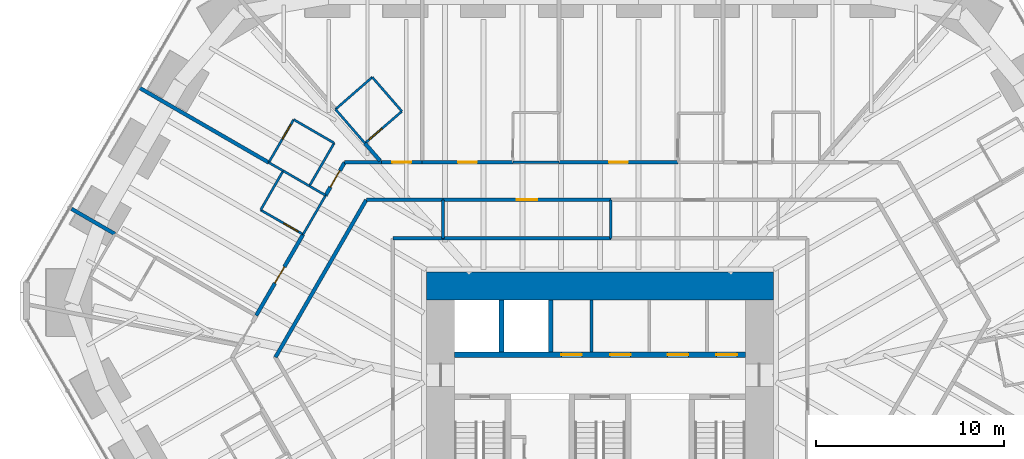
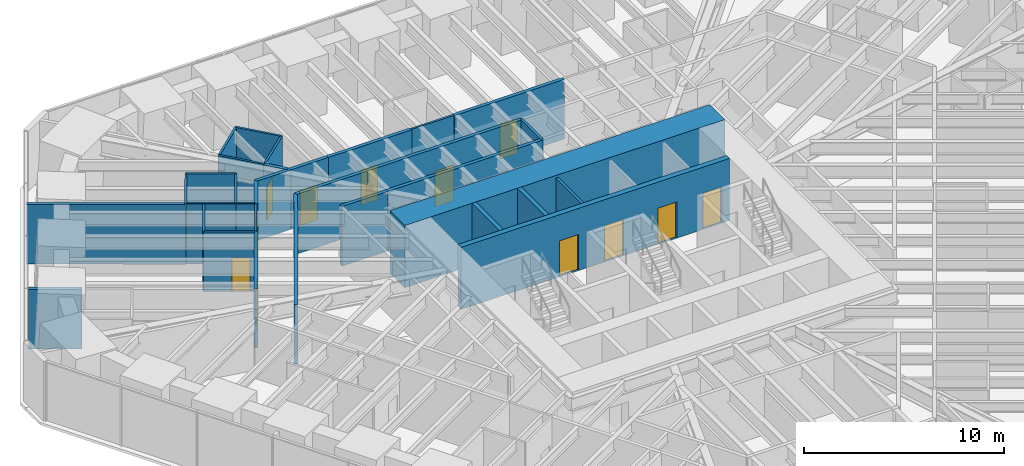
# One storey, part 14 of 17: 35 walls, 13 doors, 13 openings.
"""IFC4 building model written with IfcOpenShell, lengths in metres."""

from ifc_helpers import new_model, si_unit, direction, frame, frame_2d, origin, place, context, subcontext, project, spatial, rectangle, extrude, material, layer, layer_set, type_object, element, fill, save


model = new_model("IFC4")

# Units and contexts
model_context = context("Model", 3, precision=1e-05, world=origin(), true_north=direction((0.0, 1.0)))
body_context = subcontext(model_context, "Body", "Model", "MODEL_VIEW")
ifc_project = project(units=[si_unit("LENGTHUNIT", "METRE"), si_unit("AREAUNIT", "SQUARE_METRE"), si_unit("VOLUMEUNIT", "CUBIC_METRE"), si_unit("PLANEANGLEUNIT", "RADIAN"), si_unit("MASSUNIT", "GRAM", prefix="KILO")], contexts=[model_context])

# Site, building, storey
site_placement = place(None, origin())
site = spatial("IfcSite", under=ifc_project, at=site_placement, CompositionType="ELEMENT")
building_placement = place(site_placement, origin())
building = spatial("IfcBuilding", under=site, at=building_placement, Name="Sandreach Pilgrim Tower", CompositionType="ELEMENT")
storey_placement = place(building_placement, frame((0.0, 0.0, 64.800048828125)))
storey = spatial("IfcBuildingStorey", under=building, at=storey_placement, Name="L15", CompositionType="ELEMENT", Elevation=64.800048828125)

# Walls
ifc_material_1 = material(Name="Gypsum board on steel studs", Category="steel")
ifc_layer_1 = layer(ifc_material_1, 0.14990234375)
ifc_layer_set_1 = layer_set([ifc_layer_1], Name="Back of house wall 150")
wall_type_1 = type_object("IfcWallType", Name="Back of house wall 150", PredefinedType="PARTITIONING", material=ifc_layer_set_1)
wall_1_placement = place(storey_placement, frame((-8.360107421875, 11.449951171875, 0.0), z_axis=(0.0, 0.0, 1.0), x_axis=(0.0, -1.0, 0.0)))
element("IfcWall", 1, at=wall_1_placement, inside=storey, type_object=wall_type_1, Name="Back of house wall L15-057", PredefinedType="PARTITIONING", context=body_context, shape_type="SweptSolid", body=[
    extrude(rectangle(XDim=2.050048828125, YDim=0.14990234375, at=frame_2d((1.02490234375, 0.0))), origin(), (0.0, 0.0, 1.0), 2.8779296875),
])
wall_2_placement = place(storey_placement, frame((0.580078125, 11.449951171875, 0.0), z_axis=(0.0, 0.0, 1.0), x_axis=(0.0, -1.0, 0.0)))
element("IfcWall", 2, at=wall_2_placement, inside=storey, type_object=wall_type_1, Name="Back of house wall L15-090", PredefinedType="PARTITIONING", context=body_context, shape_type="SweptSolid", body=[
    extrude(rectangle(XDim=2.050048828125, YDim=0.14990234375, at=frame_2d((1.02490234375, 0.0))), origin(), (0.0, 0.0, 1.0), 3.639892578125),
])
wall_3_placement = place(storey_placement, frame((-0.449951171875, 3.35009765625, 0.0), z_axis=(0.0, 0.0, 1.0), x_axis=(0.0, 1.0, 0.0)))
element("IfcWall", 3, at=wall_3_placement, inside=storey, type_object=wall_type_1, Name="Core room partition L15 1", PredefinedType="PARTITIONING", context=body_context, shape_type="SweptSolid", body=[
    extrude(rectangle(XDim=2.75, YDim=0.14990234375, at=frame_2d((1.375, 0.0))), origin(), (0.0, 0.0, 1.0), 3.639892578125),
])

# Wall, opening, door
ifc_material_2 = material(Name="Moisture-resistant gypsum board on steel studs", Category="steel")
ifc_layer_2 = layer(ifc_material_2, 0.1201171875)
ifc_layer_set_2 = layer_set([ifc_layer_2], Name="Bathroom partition 120")
wall_type_2 = type_object("IfcWallType", Name="Bathroom partition 120", PredefinedType="PARTITIONING", material=ifc_layer_set_2)
wall_4_placement = place(storey_placement, frame((-18.090087890625, 10.909912109375, 0.0), z_axis=(0.0, 0.0, 1.0), x_axis=(0.866856728041, -0.498557331759, 0.0)))
wall_4 = element("IfcWall", 4, at=wall_4_placement, inside=storey, type_object=wall_type_2, Name="Bathroom partition L15-020", PredefinedType="PARTITIONING", context=body_context, shape_type="SweptSolid", body=[
    extrude(rectangle(XDim=2.607177734375, YDim=0.1201171875, at=frame_2d((1.3037109375, 0.0))), origin(), (0.0, 0.0, 1.0), 3.639892578125),
])
opening_1_placement = place(wall_4_placement, frame((1.4072265625, 0.0, 0.0)))
opening_1 = element("IfcOpeningElement", 5, at=opening_1_placement, cuts=wall_4, Name="Opening D09-19B", PredefinedType="OPENING", context=body_context, shape_type="SweptSolid", body=[
    extrude(rectangle(XDim=0.89990234375, YDim=2.030029296875, at=frame_2d((0.449951171875, 1.01513671875))), frame((0.0, 0.06005859375, 0.0), z_axis=(0.0, -1.0, 0.0), x_axis=(1.0, 0.0, 0.0)), (0.0, 0.0, 1.0), 0.1201171875),
])
ifc_material_3 = material(Name="Timber door, steel frame", Category="steel")
door_type_1 = type_object("IfcDoorType", Name="Bathroom door", OperationType="SINGLE_SWING_LEFT", PredefinedType="DOOR", material=ifc_material_3)
door_1_placement = place(opening_1_placement, origin())
door_1 = element("IfcDoor", 6, at=door_1_placement, inside=storey, type_object=door_type_1, Name="Door 1519B", OperationType="SINGLE_SWING_RIGHT", OverallHeight=2.030029296875, OverallWidth=0.89990234375, PredefinedType="DOOR", context=body_context, shape_type="SweptSolid", body=[
    extrude(rectangle(XDim=0.89990234375, YDim=2.030029296875, at=frame_2d((0.449951171875, 1.01513671875))), frame((0.0, 0.02490234375, 0.0), z_axis=(0.0, -1.0, 0.0), x_axis=(1.0, 0.0, 0.0)), (0.0, 0.0, 1.0), 0.050048828125),
])
fill(opening_1, door_1)

# Walls
wall_5_placement = place(storey_placement, frame((-17.659912109375, 13.43994140625, 0.0), z_axis=(0.0, 0.0, 1.0), x_axis=(0.86820924967, -0.49619824545, 0.0)))
element("IfcWall", 7, at=wall_5_placement, inside=storey, type_object=wall_type_2, Name="Bathroom partition L15-022", PredefinedType="PARTITIONING", context=body_context, shape_type="SweptSolid", body=[
    extrude(rectangle(XDim=0.88671875, YDim=0.1201171875, at=frame_2d((0.443359375, 0.0))), origin(), (0.0, 0.0, 1.0), 3.639892578125),
])
wall_6_placement = place(storey_placement, frame((-16.889892578125, 13.0, 0.0), z_axis=(0.0, 0.0, 1.0), x_axis=(-0.497970509195, -0.867193964446, 0.0)))
element("IfcWall", 8, at=wall_6_placement, inside=storey, type_object=wall_type_2, Name="Bathroom partition L15-024", PredefinedType="PARTITIONING", context=body_context, shape_type="SweptSolid", body=[
    extrude(rectangle(XDim=2.41015625, YDim=0.1201171875, at=frame_2d((1.205078125, 0.0))), origin(), (0.0, 0.0, 1.0), 3.639892578125),
])
wall_7_placement = place(storey_placement, frame((-16.889892578125, 13.0, 0.0), z_axis=(0.0, 0.0, 1.0), x_axis=(0.864822777425, -0.502077248685, 0.0)))
element("IfcWall", 9, at=wall_7_placement, inside=storey, type_object=wall_type_2, Name="Bathroom partition L15-025", PredefinedType="PARTITIONING", context=body_context, shape_type="SweptSolid", body=[
    extrude(rectangle(XDim=1.6171875, YDim=0.1201171875, at=frame_2d((0.80859375, 0.0))), origin(), (0.0, 0.0, 1.0), 3.639892578125),
])

# Wall, opening, door
wall_8_placement = place(storey_placement, frame((-16.330078125, 15.72998046875, 0.0), z_axis=(0.0, 0.0, 1.0), x_axis=(-0.502173326652, -0.864766991738, 0.0)))
wall_8 = element("IfcWall", 10, at=wall_8_placement, inside=storey, type_object=wall_type_2, Name="Bathroom partition L15-029", PredefinedType="PARTITIONING", context=body_context, shape_type="SweptSolid", body=[
    extrude(rectangle(XDim=2.648193359375, YDim=0.1201171875, at=frame_2d((1.32421875, 0.0))), origin(), (0.0, 0.0, 1.0), 3.639892578125),
])
opening_2_placement = place(wall_8_placement, frame((0.300048828125, 0.0, 0.0)))
opening_2 = element("IfcOpeningElement", 11, at=opening_2_placement, cuts=wall_8, Name="Opening D09-20B", PredefinedType="OPENING", context=body_context, shape_type="SweptSolid", body=[
    extrude(rectangle(XDim=0.89990234375, YDim=2.030029296875, at=frame_2d((0.449951171875, 1.01513671875))), frame((0.0, 0.06005859375, 0.0), z_axis=(0.0, -1.0, 0.0), x_axis=(1.0, 0.0, 0.0)), (0.0, 0.0, 1.0), 0.1201171875),
])
door_2_placement = place(opening_2_placement, origin())
door_2 = element("IfcDoor", 12, at=door_2_placement, inside=storey, type_object=door_type_1, Name="Door 1520B", OperationType="SINGLE_SWING_LEFT", OverallHeight=2.030029296875, OverallWidth=0.89990234375, PredefinedType="DOOR", context=body_context, shape_type="SweptSolid", body=[
    extrude(rectangle(XDim=0.89990234375, YDim=2.030029296875, at=frame_2d((0.449951171875, 1.01513671875))), frame((0.0, 0.02490234375, 0.0), z_axis=(0.0, -1.0, 0.0), x_axis=(1.0, 0.0, 0.0)), (0.0, 0.0, 1.0), 0.050048828125),
])
fill(opening_2, door_2)

# Walls
wall_9_placement = place(storey_placement, frame((-15.82666015625, 9.608154296875, 0.0), z_axis=(0.0, 0.0, 1.0), x_axis=(0.499737123639, 0.866177122335, 0.0)))
element("IfcWall", 13, at=wall_9_placement, inside=storey, type_object=wall_type_2, Name="Bathroom partition L15-030", PredefinedType="PARTITIONING", context=body_context, shape_type="SweptSolid", body=[
    extrude(rectangle(XDim=2.401123046875, YDim=0.1201171875, at=frame_2d((1.20068359375, 0.0))), origin(), (0.0, 0.0, 1.0), 3.639892578125),
])
wall_10_placement = place(storey_placement, frame((-15.4912109375, 12.18798828125, 0.0), z_axis=(0.0, 0.0, 1.0), x_axis=(0.865633452576, -0.500678265737, 0.0)))
element("IfcWall", 14, at=wall_10_placement, inside=storey, type_object=wall_type_2, Name="Bathroom partition L15-031", PredefinedType="PARTITIONING", context=body_context, shape_type="SweptSolid", body=[
    extrude(rectangle(XDim=0.99462890625, YDim=0.1201171875, at=frame_2d((0.497314453125, 0.0))), origin(), (0.0, 0.0, 1.0), 3.639892578125),
])
wall_11_placement = place(storey_placement, frame((-15.489990234375, 12.18994140625, 0.0), z_axis=(0.0, 0.0, 1.0), x_axis=(0.499407914056, 0.866366975004, 0.0)))
element("IfcWall", 15, at=wall_11_placement, inside=storey, type_object=wall_type_2, Name="Bathroom partition L15-032", PredefinedType="PARTITIONING", context=body_context, shape_type="SweptSolid", body=[
    extrude(rectangle(XDim=2.643310546875, YDim=0.1201171875, at=frame_2d((1.32177734375, 0.0))), origin(), (0.0, 0.0, 1.0), 3.639892578125),
])
wall_12_placement = place(storey_placement, frame((-14.169921875, 14.47998046875, 0.0), z_axis=(0.0, 0.0, 1.0), x_axis=(-0.865533423938, 0.500851167559, 0.0)))
element("IfcWall", 16, at=wall_12_placement, inside=storey, type_object=wall_type_2, Name="Bathroom partition L15-038", PredefinedType="PARTITIONING", context=body_context, shape_type="SweptSolid", body=[
    extrude(rectangle(XDim=2.495849609375, YDim=0.1201171875, at=frame_2d((1.248046875, 0.0))), origin(), (0.0, 0.0, 1.0), 3.639892578125),
])
wall_13_placement = place(storey_placement, frame((-14.101318359375, 16.27880859375, 0.0), z_axis=(0.0, 0.0, 1.0), x_axis=(0.654868469202, -0.755742871647, 0.0)))
element("IfcWall", 17, at=wall_13_placement, inside=storey, type_object=wall_type_2, Name="Bathroom partition L15-039", PredefinedType="PARTITIONING", context=body_context, shape_type="SweptSolid", body=[
    extrude(rectangle(XDim=2.39599609375, YDim=0.1201171875, at=frame_2d((1.197998046875, 0.0))), origin(), (0.0, 0.0, 1.0), 3.639892578125),
])

# Wall, opening, door
wall_14_placement = place(storey_placement, frame((-12.530029296875, 14.469970703125, 0.0), z_axis=(0.0, 0.0, 1.0), x_axis=(0.757086659925, 0.653314464377, 0.0)))
wall_14 = element("IfcWall", 18, at=wall_14_placement, inside=storey, type_object=wall_type_2, Name="Bathroom partition L15-042", PredefinedType="PARTITIONING", context=body_context, shape_type="SweptSolid", body=[
    extrude(rectangle(XDim=2.60205078125, YDim=0.1201171875, at=frame_2d((1.301025390625, 0.0))), origin(), (0.0, 0.0, 1.0), 3.639892578125),
])
opening_3_placement = place(wall_14_placement, frame((0.300048828125, 0.0, 0.0)))
opening_3 = element("IfcOpeningElement", 19, at=opening_3_placement, cuts=wall_14, Name="Opening D09-01B", PredefinedType="OPENING", context=body_context, shape_type="SweptSolid", body=[
    extrude(rectangle(XDim=0.89990234375, YDim=2.030029296875, at=frame_2d((0.449951171875, 1.01513671875))), frame((0.0, 0.06005859375, 0.0), z_axis=(0.0, -1.0, 0.0), x_axis=(1.0, 0.0, 0.0)), (0.0, 0.0, 1.0), 0.1201171875),
])
door_3_placement = place(opening_3_placement, origin())
door_3 = element("IfcDoor", 20, at=door_3_placement, inside=storey, type_object=door_type_1, Name="Door 1501B", OperationType="SINGLE_SWING_LEFT", OverallHeight=2.030029296875, OverallWidth=0.89990234375, PredefinedType="DOOR", context=body_context, shape_type="SweptSolid", body=[
    extrude(rectangle(XDim=0.89990234375, YDim=2.030029296875, at=frame_2d((0.449951171875, 1.01513671875))), frame((0.0, 0.02490234375, 0.0), z_axis=(0.0, -1.0, 0.0), x_axis=(1.0, 0.0, 0.0)), (0.0, 0.0, 1.0), 0.050048828125),
])
fill(opening_3, door_3)

# Walls
wall_15_placement = place(storey_placement, frame((-12.139892578125, 17.989990234375, 0.0), z_axis=(0.0, 0.0, 1.0), x_axis=(-0.753570046386, -0.657367617996, 0.0)))
element("IfcWall", 21, at=wall_15_placement, inside=storey, type_object=wall_type_2, Name="Bathroom partition L15-045", PredefinedType="PARTITIONING", context=body_context, shape_type="SweptSolid", body=[
    extrude(rectangle(XDim=2.601318359375, YDim=0.1201171875, at=frame_2d((1.30078125, 0.0))), origin(), (0.0, 0.0, 1.0), 3.639892578125),
])
wall_16_placement = place(storey_placement, frame((-10.56005859375, 16.169921875, 0.0), z_axis=(0.0, 0.0, 1.0), x_axis=(-0.65550883331, 0.755187506155, 0.0)))
element("IfcWall", 22, at=wall_16_placement, inside=storey, type_object=wall_type_2, Name="Bathroom partition L15-050", PredefinedType="PARTITIONING", context=body_context, shape_type="SweptSolid", body=[
    extrude(rectangle(XDim=2.41015625, YDim=0.1201171875, at=frame_2d((1.205078125, 0.0))), origin(), (0.0, 0.0, 1.0), 3.639892578125),
])
wall_17_placement = place(storey_placement, frame((-2.18994140625, 13.449951171875, 0.0), z_axis=(0.0, 0.0, 1.0), x_axis=(-1.0, 0.0, 0.0)))
element("IfcWall", 23, at=wall_17_placement, inside=storey, type_object=wall_type_2, Name="Bathroom partition L15-079", PredefinedType="PARTITIONING", context=body_context, shape_type="SweptSolid", body=[
    extrude(rectangle(XDim=2.449951171875, YDim=0.1201171875, at=frame_2d((1.22509765625, 0.0))), origin(), (0.0, 0.0, 1.0), 3.639892578125),
])

# Wall, openings, doors
ifc_material_4 = material(Name="Concrete 10000 psi", Category="concrete")
ifc_layer_3 = layer(ifc_material_4, 0.300048828125)
ifc_layer_set_3 = layer_set([ifc_layer_3], Name="Core inner wall 300")
wall_type_3 = type_object("IfcWallType", Name="Core inner wall 300", PredefinedType="SHEAR", material=ifc_layer_set_3)
wall_18_placement = place(storey_placement, frame((-7.75, 3.199951171875, 0.0), z_axis=(0.0, 0.0, 1.0), x_axis=(1.0, 0.0, 0.0)))
wall_18 = element("IfcWall", 24, at=wall_18_placement, inside=storey, type_object=wall_type_3, Name="Core wall PN L15", PredefinedType="SHEAR", context=body_context, shape_type="SweptSolid", body=[
    extrude(rectangle(XDim=15.5, YDim=0.300048828125, at=frame_2d((7.75, 0.0))), origin(), (0.0, 0.0, 1.0), 3.800048828125),
])
opening_4_placement = place(wall_18_placement, frame((5.6875, 0.0, 0.0)))
opening_4 = element("IfcOpeningElement", 25, at=opening_4_placement, cuts=wall_18, Name="Opening D11L", PredefinedType="OPENING", context=body_context, shape_type="SweptSolid", body=[
    extrude(rectangle(XDim=1.10009765625, YDim=2.199951171875, at=frame_2d((0.550048828125, 1.10009765625))), frame((0.0, 0.14990234375, 0.0), z_axis=(0.0, -1.0, 0.0), x_axis=(1.0, 0.0, 0.0)), (0.0, 0.0, 1.0), 0.300048828125),
])
opening_5_placement = place(wall_18_placement, frame((8.28759765625, 0.0, 0.0)))
opening_5 = element("IfcOpeningElement", 26, at=opening_5_placement, cuts=wall_18, Name="Opening D11L", PredefinedType="OPENING", context=body_context, shape_type="SweptSolid", body=[
    extrude(rectangle(XDim=1.10009765625, YDim=2.199951171875, at=frame_2d((0.550048828125, 1.10009765625))), frame((0.0, 0.14990234375, 0.0), z_axis=(0.0, -1.0, 0.0), x_axis=(1.0, 0.0, 0.0)), (0.0, 0.0, 1.0), 0.300048828125),
])
opening_6_placement = place(wall_18_placement, frame((11.362548828125, 0.0, 0.0)))
opening_6 = element("IfcOpeningElement", 27, at=opening_6_placement, cuts=wall_18, Name="Opening D11L", PredefinedType="OPENING", context=body_context, shape_type="SweptSolid", body=[
    extrude(rectangle(XDim=1.10009765625, YDim=2.199951171875, at=frame_2d((0.550048828125, 1.10009765625))), frame((0.0, 0.14990234375, 0.0), z_axis=(0.0, -1.0, 0.0), x_axis=(1.0, 0.0, 0.0)), (0.0, 0.0, 1.0), 0.300048828125),
])
opening_7_placement = place(wall_18_placement, frame((13.96240234375, 0.0, 0.0)))
opening_7 = element("IfcOpeningElement", 28, at=opening_7_placement, cuts=wall_18, Name="Opening D11L", PredefinedType="OPENING", context=body_context, shape_type="SweptSolid", body=[
    extrude(rectangle(XDim=1.10009765625, YDim=2.199951171875, at=frame_2d((0.550048828125, 1.10009765625))), frame((0.0, 0.14990234375, 0.0), z_axis=(0.0, -1.0, 0.0), x_axis=(1.0, 0.0, 0.0)), (0.0, 0.0, 1.0), 0.300048828125),
])
ifc_material_5 = material(Name="Steel door and frame, smoke seals", Category="steel")
door_type_2 = type_object("IfcDoorType", Name="Core room door", OperationType="SINGLE_SWING_LEFT", PredefinedType="DOOR", material=ifc_material_5)
door_4_placement = place(opening_4_placement, origin())
door_4 = element("IfcDoor", 29, at=door_4_placement, inside=storey, type_object=door_type_2, Name="Door linen and housekeeping store 15K1", OperationType="SINGLE_SWING_LEFT", OverallHeight=2.199951171875, OverallWidth=1.10009765625, PredefinedType="DOOR", context=body_context, shape_type="SweptSolid", body=[
    extrude(rectangle(XDim=1.10009765625, YDim=2.199951171875, at=frame_2d((0.550048828125, 1.10009765625))), frame((0.0, 0.02490234375, 0.0), z_axis=(0.0, -1.0, 0.0), x_axis=(1.0, 0.0, 0.0)), (0.0, 0.0, 1.0), 0.050048828125),
])
fill(opening_4, door_4)
door_5_placement = place(opening_5_placement, origin())
door_5 = element("IfcDoor", 30, at=door_5_placement, inside=storey, type_object=door_type_2, Name="Door cleaners store 15K2", OperationType="SINGLE_SWING_RIGHT", OverallHeight=2.199951171875, OverallWidth=1.10009765625, PredefinedType="DOOR", context=body_context, shape_type="SweptSolid", body=[
    extrude(rectangle(XDim=1.10009765625, YDim=2.199951171875, at=frame_2d((0.550048828125, 1.10009765625))), frame((0.0, 0.02490234375, 0.0), z_axis=(0.0, -1.0, 0.0), x_axis=(1.0, 0.0, 0.0)), (0.0, 0.0, 1.0), 0.050048828125),
])
fill(opening_5, door_5)
door_6_placement = place(opening_6_placement, origin())
door_6 = element("IfcDoor", 31, at=door_6_placement, inside=storey, type_object=door_type_2, Name="Door storage room 15K3", OperationType="SINGLE_SWING_RIGHT", OverallHeight=2.199951171875, OverallWidth=1.10009765625, PredefinedType="DOOR", context=body_context, shape_type="SweptSolid", body=[
    extrude(rectangle(XDim=1.10009765625, YDim=2.199951171875, at=frame_2d((0.550048828125, 1.10009765625))), frame((0.0, 0.02490234375, 0.0), z_axis=(0.0, -1.0, 0.0), x_axis=(1.0, 0.0, 0.0)), (0.0, 0.0, 1.0), 0.050048828125),
])
fill(opening_6, door_6)
door_7_placement = place(opening_7_placement, origin())
door_7 = element("IfcDoor", 32, at=door_7_placement, inside=storey, type_object=door_type_2, Name="Door refuse room 15K4", OperationType="SINGLE_SWING_RIGHT", OverallHeight=2.199951171875, OverallWidth=1.10009765625, PredefinedType="DOOR", context=body_context, shape_type="SweptSolid", body=[
    extrude(rectangle(XDim=1.10009765625, YDim=2.199951171875, at=frame_2d((0.550048828125, 1.10009765625))), frame((0.0, 0.02490234375, 0.0), z_axis=(0.0, -1.0, 0.0), x_axis=(1.0, 0.0, 0.0)), (0.0, 0.0, 1.0), 0.050048828125),
])
fill(opening_7, door_7)

# Wall
ifc_material_6 = material(Name="Concrete 10000 psi", Category="concrete")
ifc_layer_4 = layer(ifc_material_6, 1.5)
ifc_layer_set_4 = layer_set([ifc_layer_4], Name="Core wall 1500")
wall_type_4 = type_object("IfcWallType", Name="Core wall 1500", PredefinedType="SHEAR", material=ifc_layer_set_4)
wall_19_placement = place(storey_placement, frame((-9.25, 6.85009765625, 0.0), z_axis=(0.0, 0.0, 1.0), x_axis=(1.0, 0.0, 0.0)))
element("IfcWall", 33, at=wall_19_placement, inside=storey, type_object=wall_type_4, Name="Core wall N L15", PredefinedType="SHEAR", context=body_context, shape_type="SweptSolid", body=[
    extrude(rectangle(XDim=18.5, YDim=1.5, at=frame_2d((9.25, 0.0))), origin(), (0.0, 0.0, 1.0), 3.800048828125),
])

# Wall, opening, door
ifc_material_7 = material(Name="Gypsum board on steel studs, two layers each side", Category="steel")
ifc_layer_5 = layer(ifc_material_7, 0.199951171875)
ifc_layer_set_5 = layer_set([ifc_layer_5], Name="Corridor wall 200")
wall_type_5 = type_object("IfcWallType", Name="Corridor wall 200", PredefinedType="PARTITIONING", material=ifc_layer_set_5)
wall_20_placement = place(storey_placement, frame((-18.330078125, 5.280029296875, 0.0), z_axis=(0.0, 0.0, 1.0), x_axis=(0.500685921526, 0.865629024459, 0.0)))
wall_20 = element("IfcWall", 34, at=wall_20_placement, inside=storey, type_object=wall_type_5, Name="Corridor wall L15-017", PredefinedType="PARTITIONING", context=body_context, shape_type="SweptSolid", body=[
    extrude(rectangle(XDim=5.0, YDim=0.199951171875, at=frame_2d((2.5, 0.0))), origin(), (0.0, 0.0, 1.0), 3.639892578125),
])
opening_8_placement = place(wall_20_placement, frame((2.0, 0.0, 0.0)))
opening_8 = element("IfcOpeningElement", 35, at=opening_8_placement, cuts=wall_20, Name="Opening D10-19", PredefinedType="OPENING", context=body_context, shape_type="SweptSolid", body=[
    extrude(rectangle(XDim=1.0, YDim=2.1298828125, at=frame_2d((0.5, 1.06494140625))), frame((0.0, 0.10009765625, 0.0), z_axis=(0.0, -1.0, 0.0), x_axis=(1.0, 0.0, 0.0)), (0.0, 0.0, 1.0), 0.199951171875),
])
ifc_material_8 = material(Name="Steel door and frame", Category="steel")
door_type_3 = type_object("IfcDoorType", Name="Guest room entry door", OperationType="SINGLE_SWING_LEFT", PredefinedType="DOOR", material=ifc_material_8)
door_8_placement = place(opening_8_placement, origin())
door_8 = element("IfcDoor", 36, at=door_8_placement, inside=storey, type_object=door_type_3, Name="Door 1519", OperationType="SINGLE_SWING_LEFT", OverallHeight=2.1298828125, OverallWidth=1.0, PredefinedType="DOOR", context=body_context, shape_type="SweptSolid", body=[
    extrude(rectangle(XDim=1.0, YDim=2.1298828125, at=frame_2d((0.5, 1.06494140625))), frame((0.0, 0.02490234375, 0.0), z_axis=(0.0, -1.0, 0.0), x_axis=(1.0, 0.0, 0.0)), (0.0, 0.0, 1.0), 0.050048828125),
])
fill(opening_8, door_8)

# Wall
wall_21_placement = place(storey_placement, frame((-17.300048828125, 3.06005859375, 0.0), z_axis=(0.0, 0.0, 1.0), x_axis=(0.499704269421, 0.866196076603, 0.0)))
element("IfcWall", 37, at=wall_21_placement, inside=storey, type_object=wall_type_5, Name="Corridor wall L15-023", PredefinedType="PARTITIONING", context=body_context, shape_type="SweptSolid", body=[
    extrude(rectangle(XDim=9.685791015625, YDim=0.199951171875, at=frame_2d((4.8427734375, 0.0))), origin(), (0.0, 0.0, 1.0), 3.639892578125),
])

# Wall, opening, door
wall_22_placement = place(storey_placement, frame((-14.626708984375, 11.68798828125, 0.0), z_axis=(0.0, 0.0, 1.0), x_axis=(0.49975362313, 0.866167602816, 0.0)))
wall_22 = element("IfcWall", 38, at=wall_22_placement, inside=storey, type_object=wall_type_5, Name="Corridor wall L15-035", PredefinedType="PARTITIONING", context=body_context, shape_type="SweptSolid", body=[
    extrude(rectangle(XDim=2.0341796875, YDim=0.199951171875, at=frame_2d((1.01708984375, 0.0))), origin(), (0.0, 0.0, 1.0), 3.639892578125),
])
opening_9_placement = place(wall_22_placement, frame((0.51708984375, 0.0, 0.0)))
opening_9 = element("IfcOpeningElement", 39, at=opening_9_placement, cuts=wall_22, Name="Opening D10-20", PredefinedType="OPENING", context=body_context, shape_type="SweptSolid", body=[
    extrude(rectangle(XDim=1.0, YDim=2.1298828125, at=frame_2d((0.5, 1.06494140625))), frame((0.0, 0.10009765625, 0.0), z_axis=(0.0, -1.0, 0.0), x_axis=(1.0, 0.0, 0.0)), (0.0, 0.0, 1.0), 0.199951171875),
])
door_9_placement = place(opening_9_placement, origin())
door_9 = element("IfcDoor", 40, at=door_9_placement, inside=storey, type_object=door_type_3, Name="Door 1520", OperationType="SINGLE_SWING_LEFT", OverallHeight=2.1298828125, OverallWidth=1.0, PredefinedType="DOOR", context=body_context, shape_type="SweptSolid", body=[
    extrude(rectangle(XDim=1.0, YDim=2.1298828125, at=frame_2d((0.5, 1.06494140625))), frame((0.0, 0.02490234375, 0.0), z_axis=(0.0, -1.0, 0.0), x_axis=(1.0, 0.0, 0.0)), (0.0, 0.0, 1.0), 0.050048828125),
])
fill(opening_9, door_9)

# Walls
wall_23_placement = place(storey_placement, frame((-12.4599609375, 11.449951171875, 0.0), z_axis=(0.0, 0.0, 1.0), x_axis=(1.0, 0.0, 0.0)))
element("IfcWall", 41, at=wall_23_placement, inside=storey, type_object=wall_type_5, Name="Corridor wall L15-043", PredefinedType="PARTITIONING", context=body_context, shape_type="SweptSolid", body=[
    extrude(rectangle(XDim=4.099853515625, YDim=0.199951171875, at=frame_2d((2.0498046875, 0.0))), origin(), (0.0, 0.0, 1.0), 3.639892578125),
])
wall_24_placement = place(storey_placement, frame((-11.64990234375, 13.449951171875, 0.0), z_axis=(0.0, 0.0, 1.0), x_axis=(-1.0, 0.0, 0.0)))
element("IfcWall", 42, at=wall_24_placement, inside=storey, type_object=wall_type_5, Name="Corridor wall L15-046", PredefinedType="PARTITIONING", context=body_context, shape_type="SweptSolid", body=[
    extrude(rectangle(XDim=1.960205078125, YDim=0.199951171875, at=frame_2d((0.97998046875, 0.0))), origin(), (0.0, 0.0, 1.0), 3.639892578125),
])

# Wall, opening, door
wall_25_placement = place(storey_placement, frame((-9.47998046875, 13.449951171875, 0.0), z_axis=(0.0, 0.0, 1.0), x_axis=(-1.0, 0.0, 0.0)))
wall_25 = element("IfcWall", 43, at=wall_25_placement, inside=storey, type_object=wall_type_5, Name="Corridor wall L15-054", PredefinedType="PARTITIONING", context=body_context, shape_type="SweptSolid", body=[
    extrude(rectangle(XDim=2.169921875, YDim=0.199951171875, at=frame_2d((1.0849609375, 0.0))), origin(), (0.0, 0.0, 1.0), 3.639892578125),
])
opening_10_placement = place(wall_25_placement, frame((0.5849609375, 0.0, 0.0)))
opening_10 = element("IfcOpeningElement", 44, at=opening_10_placement, cuts=wall_25, Name="Opening D10-01", PredefinedType="OPENING", context=body_context, shape_type="SweptSolid", body=[
    extrude(rectangle(XDim=1.0, YDim=2.1298828125, at=frame_2d((0.5, 1.06494140625))), frame((0.0, 0.10009765625, 0.0), z_axis=(0.0, -1.0, 0.0), x_axis=(1.0, 0.0, 0.0)), (0.0, 0.0, 1.0), 0.199951171875),
])
door_10_placement = place(opening_10_placement, origin())
door_10 = element("IfcDoor", 45, at=door_10_placement, inside=storey, type_object=door_type_3, Name="Door 1501", OperationType="SINGLE_SWING_LEFT", OverallHeight=2.1298828125, OverallWidth=1.0, PredefinedType="DOOR", context=body_context, shape_type="SweptSolid", body=[
    extrude(rectangle(XDim=1.0, YDim=2.1298828125, at=frame_2d((0.5, 1.06494140625))), frame((0.0, 0.02490234375, 0.0), z_axis=(0.0, -1.0, 0.0), x_axis=(1.0, 0.0, 0.0)), (0.0, 0.0, 1.0), 0.050048828125),
])
fill(opening_10, door_10)

# Wall
wall_26_placement = place(storey_placement, frame((-8.360107421875, 9.39990234375, 0.0), z_axis=(0.0, 0.0, 1.0), x_axis=(-1.0, 0.0, 0.0)))
element("IfcWall", 46, at=wall_26_placement, inside=storey, type_object=wall_type_5, Name="Corridor wall L15-056", PredefinedType="PARTITIONING", context=body_context, shape_type="SweptSolid", body=[
    extrude(rectangle(XDim=2.679931640625, YDim=0.199951171875, at=frame_2d((1.33984375, 0.0))), origin(), (0.0, 0.0, 1.0), 3.639892578125),
])

# Wall, opening, door
wall_27_placement = place(storey_placement, frame((-8.360107421875, 11.449951171875, 0.0), z_axis=(0.0, 0.0, 1.0), x_axis=(1.0, 0.0, 0.0)))
wall_27 = element("IfcWall", 47, at=wall_27_placement, inside=storey, type_object=wall_type_5, Name="Corridor wall L15-058", PredefinedType="PARTITIONING", context=body_context, shape_type="SweptSolid", body=[
    extrude(rectangle(XDim=8.940185546875, YDim=0.199951171875, at=frame_2d((4.47021484375, 0.0))), origin(), (0.0, 0.0, 1.0), 3.639892578125),
])
opening_11_placement = place(wall_27_placement, frame((3.919921875, 0.0, 0.0)))
opening_11 = element("IfcOpeningElement", 48, at=opening_11_placement, cuts=wall_27, Name="Opening D11H-M02", PredefinedType="OPENING", context=body_context, shape_type="SweptSolid", body=[
    extrude(rectangle(XDim=1.10009765625, YDim=2.199951171875, at=frame_2d((0.550048828125, 1.10009765625))), frame((0.0, 0.10009765625, 0.0), z_axis=(0.0, -1.0, 0.0), x_axis=(1.0, 0.0, 0.0)), (0.0, 0.0, 1.0), 0.199951171875),
])
ifc_material_9 = material(Name="Steel door and frame", Category="steel")
door_type_4 = type_object("IfcDoorType", Name="Back of house door", OperationType="SINGLE_SWING_LEFT", PredefinedType="DOOR", material=ifc_material_9)
door_11_placement = place(opening_11_placement, origin())
door_11 = element("IfcDoor", 49, at=door_11_placement, inside=storey, type_object=door_type_4, Name="Door 15M02", OperationType="SINGLE_SWING_LEFT", OverallHeight=2.199951171875, OverallWidth=1.10009765625, PredefinedType="DOOR", context=body_context, shape_type="SweptSolid", body=[
    extrude(rectangle(XDim=1.10009765625, YDim=2.199951171875, at=frame_2d((0.550048828125, 1.10009765625))), frame((0.0, 0.02490234375, 0.0), z_axis=(0.0, -1.0, 0.0), x_axis=(1.0, 0.0, 0.0)), (0.0, 0.0, 1.0), 0.050048828125),
])
fill(opening_11, door_11)

wall_28_placement = place(storey_placement, frame((-4.639892578125, 13.449951171875, 0.0), z_axis=(0.0, 0.0, 1.0), x_axis=(-1.0, 0.0, 0.0)))
wall_28 = element("IfcWall", 50, at=wall_28_placement, inside=storey, type_object=wall_type_5, Name="Corridor wall L15-067", PredefinedType="PARTITIONING", context=body_context, shape_type="SweptSolid", body=[
    extrude(rectangle(XDim=4.840087890625, YDim=0.199951171875, at=frame_2d((2.419921875, 0.0))), origin(), (0.0, 0.0, 1.0), 3.639892578125),
])
opening_12_placement = place(wall_28_placement, frame((1.919921875, 0.0, 0.0)))
opening_12 = element("IfcOpeningElement", 51, at=opening_12_placement, cuts=wall_28, Name="Opening D10-02", PredefinedType="OPENING", context=body_context, shape_type="SweptSolid", body=[
    extrude(rectangle(XDim=1.0, YDim=2.1298828125, at=frame_2d((0.5, 1.06494140625))), frame((0.0, 0.10009765625, 0.0), z_axis=(0.0, -1.0, 0.0), x_axis=(1.0, 0.0, 0.0)), (0.0, 0.0, 1.0), 0.199951171875),
])
door_12_placement = place(opening_12_placement, origin())
door_12 = element("IfcDoor", 52, at=door_12_placement, inside=storey, type_object=door_type_3, Name="Door 1502", OperationType="SINGLE_SWING_LEFT", OverallHeight=2.1298828125, OverallWidth=1.0, PredefinedType="DOOR", context=body_context, shape_type="SweptSolid", body=[
    extrude(rectangle(XDim=1.0, YDim=2.1298828125, at=frame_2d((0.5, 1.06494140625))), frame((0.0, 0.02490234375, 0.0), z_axis=(0.0, -1.0, 0.0), x_axis=(1.0, 0.0, 0.0)), (0.0, 0.0, 1.0), 0.050048828125),
])
fill(opening_12, door_12)

# Wall
wall_29_placement = place(storey_placement, frame((0.580078125, 9.39990234375, 0.0), z_axis=(0.0, 0.0, 1.0), x_axis=(-1.0, 0.0, 0.0)))
element("IfcWall", 53, at=wall_29_placement, inside=storey, type_object=wall_type_5, Name="Corridor wall L15-089", PredefinedType="PARTITIONING", context=body_context, shape_type="SweptSolid", body=[
    extrude(rectangle(XDim=8.940185546875, YDim=0.199951171875, at=frame_2d((4.47021484375, 0.0))), origin(), (0.0, 0.0, 1.0), 3.639892578125),
])

# Wall, opening, door
wall_30_placement = place(storey_placement, frame((4.159912109375, 13.449951171875, 0.0), z_axis=(0.0, 0.0, 1.0), x_axis=(-1.0, 0.0, 0.0)))
wall_30 = element("IfcWall", 54, at=wall_30_placement, inside=storey, type_object=wall_type_5, Name="Corridor wall L15-095", PredefinedType="PARTITIONING", context=body_context, shape_type="SweptSolid", body=[
    extrude(rectangle(XDim=6.349853515625, YDim=0.199951171875, at=frame_2d((3.1748046875, 0.0))), origin(), (0.0, 0.0, 1.0), 3.639892578125),
])
opening_13_placement = place(wall_30_placement, frame((2.675048828125, 0.0, 0.0)))
opening_13 = element("IfcOpeningElement", 55, at=opening_13_placement, cuts=wall_30, Name="Opening D10-03", PredefinedType="OPENING", context=body_context, shape_type="SweptSolid", body=[
    extrude(rectangle(XDim=1.0, YDim=2.1298828125, at=frame_2d((0.5, 1.06494140625))), frame((0.0, 0.10009765625, 0.0), z_axis=(0.0, -1.0, 0.0), x_axis=(1.0, 0.0, 0.0)), (0.0, 0.0, 1.0), 0.199951171875),
])
door_13_placement = place(opening_13_placement, origin())
door_13 = element("IfcDoor", 56, at=door_13_placement, inside=storey, type_object=door_type_3, Name="Door 1503", OperationType="SINGLE_SWING_LEFT", OverallHeight=2.1298828125, OverallWidth=1.0, PredefinedType="DOOR", context=body_context, shape_type="SweptSolid", body=[
    extrude(rectangle(XDim=1.0, YDim=2.1298828125, at=frame_2d((0.5, 1.06494140625))), frame((0.0, 0.02490234375, 0.0), z_axis=(0.0, -1.0, 0.0), x_axis=(1.0, 0.0, 0.0)), (0.0, 0.0, 1.0), 0.050048828125),
])
fill(opening_13, door_13)

# Walls
ifc_material_10 = material(Name="Double steel stud acoustic wall, gypsum board", Category="steel")
ifc_layer_6 = layer(ifc_material_10, 0.199951171875)
ifc_layer_set_6 = layer_set([ifc_layer_6], Name="Party wall 200")
wall_type_6 = type_object("IfcWallType", Name="Party wall 200", PredefinedType="PARTITIONING", material=ifc_layer_set_6)
wall_31_placement = place(storey_placement, frame((-28.176025390625, 10.969970703125, 0.0), z_axis=(0.0, 0.0, 1.0), x_axis=(0.865563676017, -0.500798884543, 0.0)))
element("IfcWall", 57, at=wall_31_placement, inside=storey, type_object=wall_type_6, Name="Party wall L15-002", PredefinedType="PARTITIONING", context=body_context, shape_type="SweptSolid", body=[
    extrude(rectangle(XDim=2.67578125, YDim=0.199951171875, at=frame_2d((1.337890625, 0.0))), origin(), (0.0, 0.0, 1.0), 3.639892578125),
])
wall_32_placement = place(storey_placement, frame((-24.553955078125, 17.425048828125, 0.0), z_axis=(0.0, 0.0, 1.0), x_axis=(0.865762644918, -0.500454835789, 0.0)))
element("IfcWall", 58, at=wall_32_placement, inside=storey, type_object=wall_type_6, Name="Party wall L15-007", PredefinedType="PARTITIONING", context=body_context, shape_type="SweptSolid", body=[
    extrude(rectangle(XDim=7.962890625, YDim=0.199951171875, at=frame_2d((3.9814453125, 0.0))), origin(), (0.0, 0.0, 1.0), 3.639892578125),
])
wall_33_placement = place(storey_placement, frame((-12.5322265625, 14.468017578125, 0.0), z_axis=(0.0, 0.0, 1.0), x_axis=(0.654877937884, -0.755734666714, 0.0)))
element("IfcWall", 59, at=wall_33_placement, inside=storey, type_object=wall_type_6, Name="Party wall L15-041", PredefinedType="PARTITIONING", context=body_context, shape_type="SweptSolid", body=[
    extrude(rectangle(XDim=1.237060546875, YDim=0.199951171875, at=frame_2d((0.61865234375, 0.0))), origin(), (0.0, 0.0, 1.0), 3.639892578125),
])
ifc_material_11 = material(Name="Gypsum shaft wall on steel studs, two layers of shaft liner board", Category="steel")
ifc_layer_7 = layer(ifc_material_11, 0.25)
ifc_layer_set_7 = layer_set([ifc_layer_7], Name="Shaft partition 250")
wall_type_7 = type_object("IfcWallType", Name="Shaft partition 250", PredefinedType="PARTITIONING", material=ifc_layer_set_7)
for number, where, z_axis, x_axis, name in (
    (60, (-5.25, 3.35009765625, 0.0), (0.0, 0.0, 1.0), (0.0, 1.0, 0.0), "Shaft partition NS0 L15"),
    (61, (-2.625, 3.35009765625, 0.0), (0.0, 0.0, 1.0), (0.0, 1.0, 0.0), "Shaft partition NS1 L15"),
):
    element("IfcWall", number, at=place(storey_placement, frame(where, z_axis=z_axis, x_axis=x_axis)), inside=storey, type_object=wall_type_7, Name=name, PredefinedType="PARTITIONING", context=body_context, shape_type="SweptSolid", body=[
        extrude(rectangle(XDim=2.75, YDim=0.25, at=frame_2d((1.375, 0.0))), origin(), (0.0, 0.0, 1.0), 3.800048828125),
    ])

save(model, "model.ifc")
